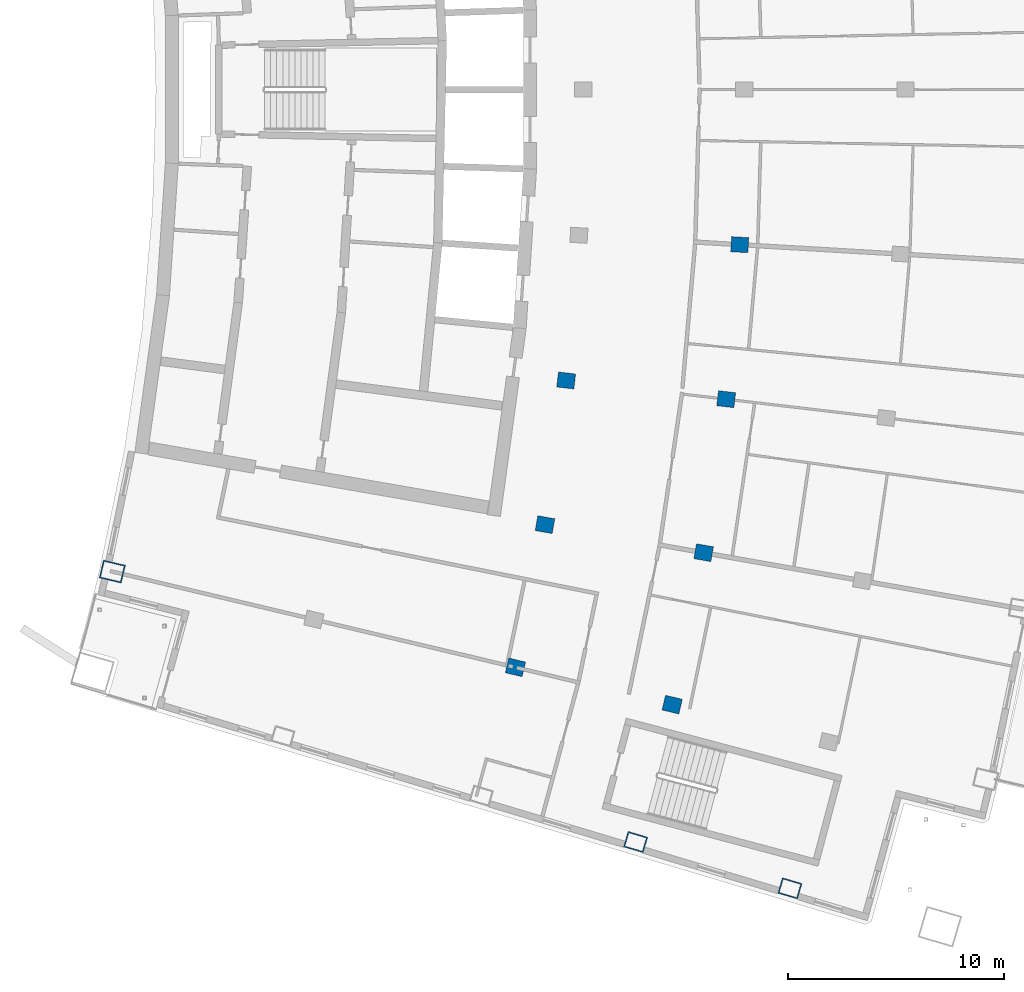
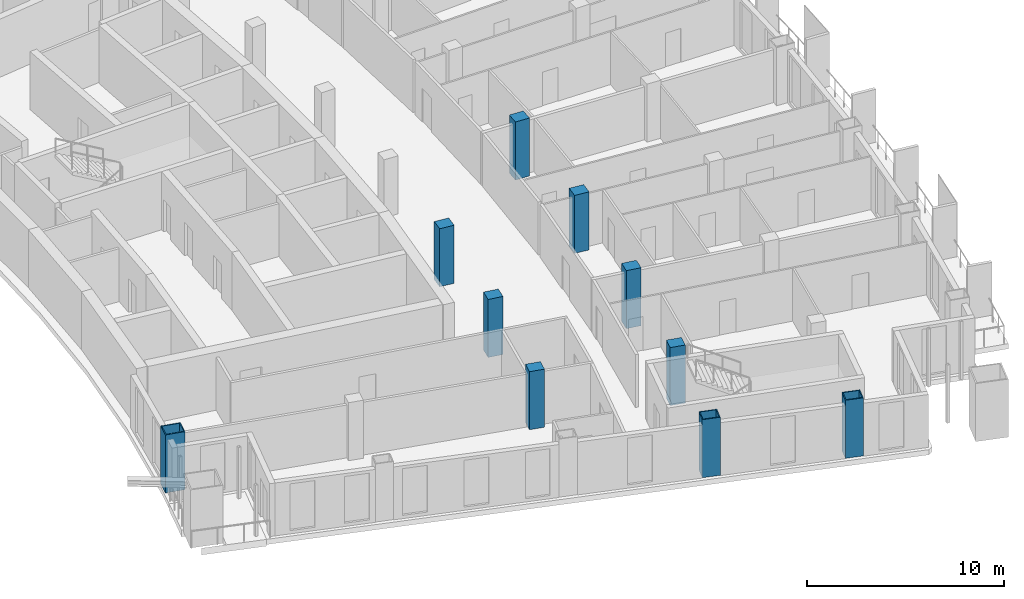
# One storey, part 2 of 19: 10 columns.
"""IFC4 building model written with IfcOpenShell, lengths in metres."""

from ifc_helpers import new_model, si_unit, direction, frame, origin, origin_2d, place, context, subcontext, project, spatial, rectangle, hollow_rectangle, extrude, material, material_profile, profile_set, type_object, element, save


model = new_model("IFC4")

# Units and contexts
model_context = context("Model", 3, precision=1e-05, world=origin(), true_north=direction((0.0, 1.0)))
body_context = subcontext(model_context, "Body", "Model", "MODEL_VIEW")
ifc_project = project(units=[si_unit("LENGTHUNIT", "METRE"), si_unit("AREAUNIT", "SQUARE_METRE"), si_unit("VOLUMEUNIT", "CUBIC_METRE"), si_unit("PLANEANGLEUNIT", "RADIAN"), si_unit("MASSUNIT", "GRAM", prefix="KILO")], contexts=[model_context])

# Site, building, storey
site_placement = place(None, origin())
site = spatial("IfcSite", under=ifc_project, at=site_placement, CompositionType="ELEMENT")
building_placement = place(site_placement, origin())
building = spatial("IfcBuilding", under=site, at=building_placement, Name="Alderwake Tower", CompositionType="ELEMENT")
storey_placement = place(building_placement, frame((0.0, 0.0, 203.60009765625)))
storey = spatial("IfcBuildingStorey", under=building, at=storey_placement, Name="L50", CompositionType="ELEMENT", Elevation=203.60009765625)

# Columns
ifc_material_1 = material(Name="Steel ASTM A572 Grade 50 concrete filled C70/85", Category="concrete")
ifc_material_profile_1 = material_profile(ifc_material_1, hollow_rectangle(XDim=0.75, YDim=0.949951171875, WallThickness=0.054931640625, at=origin_2d()), Name="BOX 950X750X55")
ifc_profile_set_1 = profile_set([ifc_material_profile_1], Name="Steel ASTM A572 Grade 50 concrete filled C70/85")
column_type_1 = type_object("IfcColumnType", Name="End column Z4", PredefinedType="COLUMN", material=ifc_profile_set_1)
for number, where, z_axis, x_axis, name in (
    (1, (38.231689453125, 26.1298828125, 0.0), (0.0, 0.0, 1.0), (0.282883890943, 0.959154160834, 0.0), "Column R02-C3"),
    (2, (45.383056640625, 23.98291015625, 0.0), (0.0, 0.0, 1.0), (0.283150052378, 0.959075621543, 0.0), "Column R02-C4"),
):
    element("IfcColumn", number, at=place(storey_placement, frame(where, z_axis=z_axis, x_axis=x_axis)), inside=storey, type_object=column_type_1, Name=name, PredefinedType="COLUMN", context=body_context, shape_type="SweptSolid", body=[
        extrude(hollow_rectangle(XDim=0.75, YDim=0.949951171875, WallThickness=0.054931640625, at=origin_2d()), origin(), (0.0, 0.0, 1.0), 3.599853515625),
    ])
ifc_material_2 = material(Name="Concrete C70/85", Category="concrete")
ifc_material_profile_2 = material_profile(ifc_material_2, rectangle(XDim=0.699951171875, YDim=0.800048828125, at=origin_2d()), Name="RC 800X700")
ifc_profile_set_2 = profile_set([ifc_material_profile_2], Name="Concrete C70/85")
column_type_2 = type_object("IfcColumnType", Name="Interior column Z4", PredefinedType="COLUMN", material=ifc_profile_set_2)
for number, where, z_axis, x_axis, name in (
    (3, (32.661865234375, 34.224609375, 0.0), (0.0, 0.0, 1.0), (0.231221547198, 0.972901123502, 0.0), "Column R03-C2"),
    (4, (39.92626953125, 32.498046875, 0.0), (0.0, 0.0, 1.0), (0.231221547198, 0.972901123502, 0.0), "Column R03-C3"),
    (5, (34.03125, 40.83837890625, 0.0), (0.0, 0.0, 1.0), (0.174108800747, 0.984726421654, 0.0), "Column R04-C2"),
    (6, (41.384033203125, 39.538330078125, 0.0), (0.0, 0.0, 1.0), (0.174107082075, 0.984726725529, 0.0), "Column R04-C3"),
    (7, (35.0126953125, 47.5205078125, 0.0), (0.0, 0.0, 1.0), (0.116402054316, 0.993202175668, 0.0), "Column R05-C2"),
    (8, (42.4287109375, 46.651611328125, 0.0), (0.0, 0.0, 1.0), (0.116402054316, 0.993202175668, 0.0), "Column R05-C3"),
    (9, (43.056884765625, 53.8134765625, 0.0), (0.0, 0.0, 1.0), (0.058301061284, 0.998299046505, 0.0), "Column R06-C3"),
):
    element("IfcColumn", number, at=place(storey_placement, frame(where, z_axis=z_axis, x_axis=x_axis)), inside=storey, type_object=column_type_2, Name=name, PredefinedType="COLUMN", context=body_context, shape_type="SweptSolid", body=[
        extrude(rectangle(XDim=0.699951171875, YDim=0.800048828125, at=origin_2d()), origin(), (0.0, 0.0, 1.0), 3.599853515625),
    ])
ifc_material_3 = material(Name="Steel ASTM A572 Grade 50 concrete filled C70/85", Category="concrete")
ifc_material_profile_3 = material_profile(ifc_material_3, hollow_rectangle(XDim=0.85009765625, YDim=1.050048828125, WallThickness=0.054931640625, at=origin_2d()), Name="BOX 1050X850X55")
ifc_profile_set_3 = profile_set([ifc_material_profile_3], Name="Steel ASTM A572 Grade 50 concrete filled C70/85")
column_type_3 = type_object("IfcColumnType", Name="Perimeter column Z4", PredefinedType="COLUMN", material=ifc_profile_set_3)
column_placement = place(storey_placement, frame((13.982177734375, 38.6640625, 0.0), z_axis=(0.0, 0.0, 1.0), x_axis=(0.231221547198, 0.972901123502, 0.0)))
element("IfcColumn", 10, at=column_placement, inside=storey, type_object=column_type_3, Name="Column R03-C0", PredefinedType="COLUMN", context=body_context, shape_type="SweptSolid", body=[
    extrude(hollow_rectangle(XDim=0.85009765625, YDim=1.050048828125, WallThickness=0.054931640625, at=origin_2d()), origin(), (0.0, 0.0, 1.0), 3.599853515625),
])

save(model, "model.ifc")
